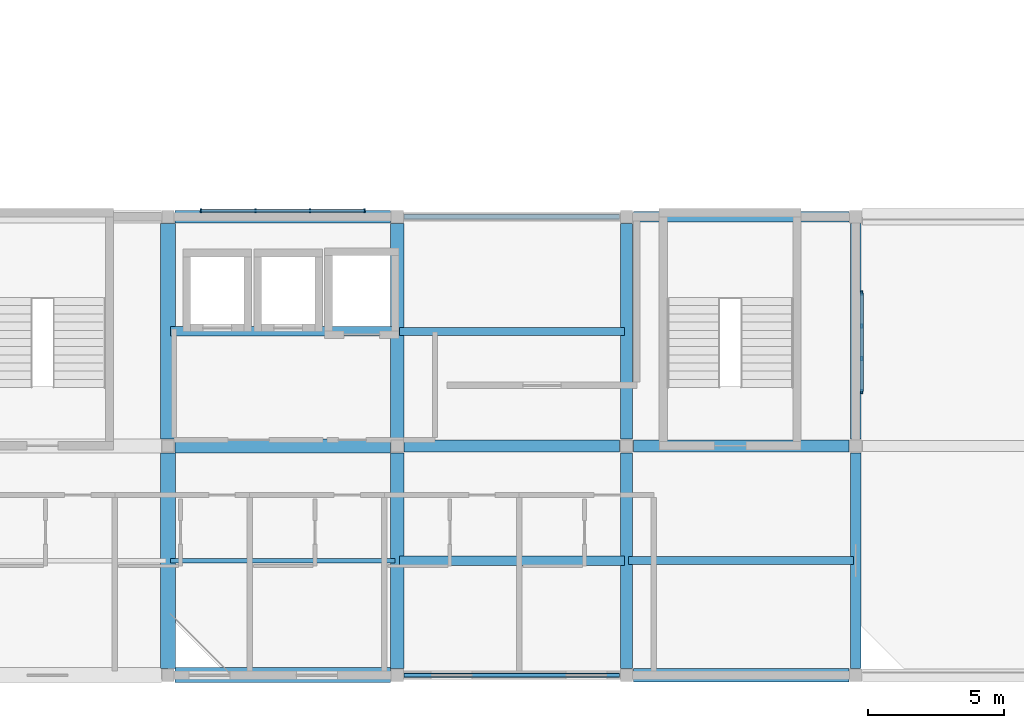
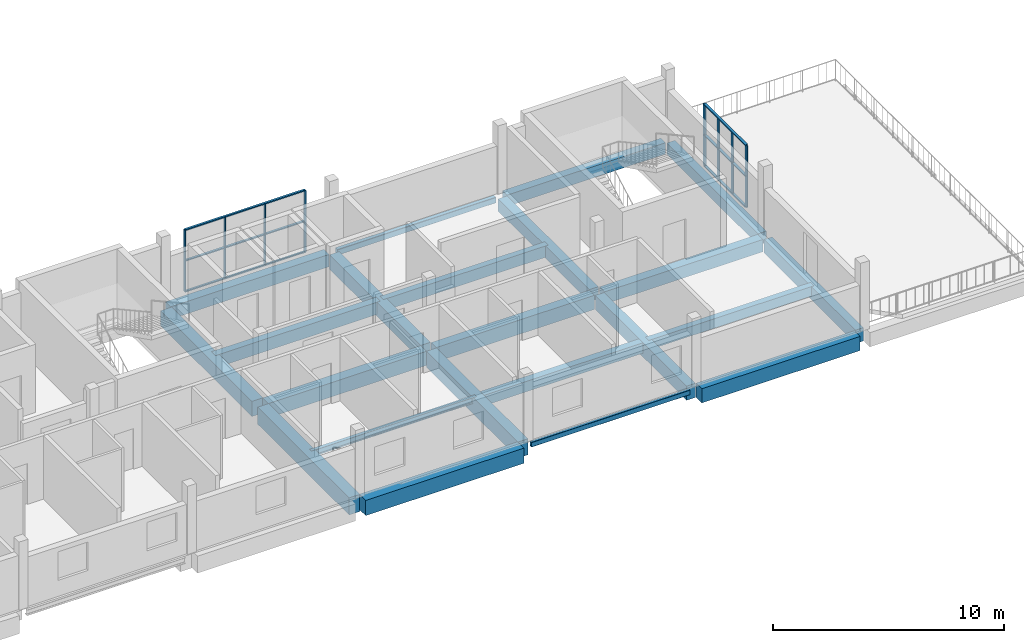
# One storey, part 5 of 19: 22 beams, 14 members, 2 elements without a shape of their own.
"""IFC4 building model written with IfcOpenShell, lengths in metres."""

from ifc_helpers import new_model, si_unit, derived_unit, direction, frame, origin, origin_2d, place, context, subcontext, project, spatial, rectangle, hollow_rectangle, i_section, extrude, material, material_profile, profile_set, type_object, element, aggregate, save


model = new_model("IFC4")

# Units and contexts
model_context = context("Model", 3, precision=1e-05, world=origin(), true_north=direction((0.0, 1.0)))
body_context = subcontext(model_context, "Body", "Model", "MODEL_VIEW")
ifc_project = project(units=[si_unit("LENGTHUNIT", "METRE"), si_unit("AREAUNIT", "SQUARE_METRE"), si_unit("VOLUMEUNIT", "CUBIC_METRE"), si_unit("PLANEANGLEUNIT", "RADIAN"), si_unit("MASSUNIT", "GRAM", prefix="KILO"), derived_unit("THERMALTRANSMITTANCEUNIT", [(si_unit("POWERUNIT", "WATT"), 1), (si_unit("LENGTHUNIT", "METRE"), -2), (si_unit("THERMODYNAMICTEMPERATUREUNIT", "KELVIN"), -1)])], contexts=[model_context])

# Site, building, storey
site_placement = place(None, origin())
site = spatial("IfcSite", under=ifc_project, at=site_placement, CompositionType="ELEMENT")
building_placement = place(site_placement, origin())
building = spatial("IfcBuilding", under=site, at=building_placement, Name="Barrovel Congress Hotel", CompositionType="ELEMENT")
storey_placement = place(building_placement, frame((0.0, 0.0, 43.5)))
storey = spatial("IfcBuildingStorey", under=building, at=storey_placement, Name="L11", CompositionType="ELEMENT", Elevation=43.5)

# Beams
ifc_material_1 = material(Name="Concrete C40", Category="concrete")
ifc_material_profile_1 = material_profile(ifc_material_1, rectangle(XDim=0.300048828125, YDim=0.5, at=origin_2d()), Name="RC300x500")
ifc_profile_set_1 = profile_set([ifc_material_profile_1], Name="Concrete C40")
beam_type_1 = type_object("IfcBeamType", Name="BM-RC300x500", PredefinedType="JOIST", material=ifc_profile_set_1)
beam_1_placement = place(storey_placement, frame((100.8798828125, 8.39990234375, -0.469970703125), z_axis=(1.0, 0.0, 0.0), x_axis=(0.0, 1.0, 0.0)))
element("IfcBeam", 1, at=beam_1_placement, inside=storey, type_object=beam_type_1, Name="JST:L11:100.8:8.4", PredefinedType="JOIST", context=body_context, shape_type="SweptSolid", body=[
    extrude(rectangle(XDim=0.300048828125, YDim=0.5, at=origin_2d()), origin(), (0.0, 0.0, 1.0), 8.240234375),
])
ifc_material_profile_2 = material_profile(ifc_material_1, rectangle(XDim=0.300048828125, YDim=0.60009765625, at=origin_2d()), Name="RC300x600")
ifc_profile_set_2 = profile_set([ifc_material_profile_2], Name="Concrete C40")
beam_type_2 = type_object("IfcBeamType", Name="BM-RC300x600", PredefinedType="JOIST", material=ifc_profile_set_2)
beam_2_placement = place(storey_placement, frame((92.47998046875, 16.800048828125, -0.52001953125), z_axis=(1.0, 0.0, 0.0), x_axis=(0.0, 1.0, 0.0)))
element("IfcBeam", 2, at=beam_2_placement, inside=storey, type_object=beam_type_2, Name="JST:L11:92.4:16.8", PredefinedType="JOIST", context=body_context, shape_type="SweptSolid", body=[
    extrude(rectangle(XDim=0.300048828125, YDim=0.60009765625, at=origin_2d()), origin(), (0.0, 0.0, 1.0), 8.239990234375),
])
ifc_material_profile_3 = material_profile(ifc_material_1, rectangle(XDim=0.35009765625, YDim=0.550048828125, at=origin_2d()), Name="RC350x550")
ifc_profile_set_3 = profile_set([ifc_material_profile_3], Name="Concrete C40")
beam_type_3 = type_object("IfcBeamType", Name="BM-RC350x550", PredefinedType="JOIST", material=ifc_profile_set_3)
beam_3_placement = place(storey_placement, frame((92.47998046875, 8.39990234375, -0.4951171875), z_axis=(1.0, 0.0, 0.0), x_axis=(0.0, 1.0, 0.0)))
element("IfcBeam", 3, at=beam_3_placement, inside=storey, type_object=beam_type_3, Name="JST:L11:92.4:8.4", PredefinedType="JOIST", context=body_context, shape_type="SweptSolid", body=[
    extrude(rectangle(XDim=0.35009765625, YDim=0.550048828125, at=origin_2d()), origin(), (0.0, 0.0, 1.0), 8.239990234375),
])
ifc_material_profile_4 = material_profile(ifc_material_1, rectangle(XDim=0.35009765625, YDim=0.64990234375, at=origin_2d()), Name="RC350x650")
ifc_profile_set_4 = profile_set([ifc_material_profile_4], Name="Concrete C40")
beam_type_4 = type_object("IfcBeamType", Name="BM-RC350x650", PredefinedType="JOIST", material=ifc_profile_set_4)
beam_4_placement = place(storey_placement, frame((84.080078125, 16.800048828125, -0.544921875), z_axis=(1.0, 0.0, 0.0), x_axis=(0.0, 1.0, 0.0)))
element("IfcBeam", 4, at=beam_4_placement, inside=storey, type_object=beam_type_4, Name="JST:L11:84.0:16.8", PredefinedType="JOIST", context=body_context, shape_type="SweptSolid", body=[
    extrude(rectangle(XDim=0.35009765625, YDim=0.64990234375, at=origin_2d()), origin(), (0.0, 0.0, 1.0), 8.239990234375),
])
ifc_material_profile_5 = material_profile(ifc_material_1, rectangle(XDim=0.39990234375, YDim=0.60009765625, at=origin_2d()), Name="RC400x600")
ifc_profile_set_5 = profile_set([ifc_material_profile_5], Name="Concrete C40")
beam_type_5 = type_object("IfcBeamType", Name="BM-RC400x600", PredefinedType="BEAM", material=ifc_profile_set_5)
for number, where, z_axis, x_axis, name in (
    (5, (101.050048828125, 21.0, -0.52001953125), (1.0, 0.0, 0.0), (0.0, 1.0, 0.0), "BMX:L11:21.0:100.8-109.2"),
    (6, (109.199951171875, 12.85009765625, -0.52001953125), (0.0, 1.0, 0.0), (-1.0, 0.0, 0.0), "BMY:L11:109.2:12.6-21.0"),
):
    element("IfcBeam", number, at=place(storey_placement, frame(where, z_axis=z_axis, x_axis=x_axis)), inside=storey, type_object=beam_type_5, Name=name, PredefinedType="BEAM", context=body_context, shape_type="SweptSolid", body=[
        extrude(rectangle(XDim=0.39990234375, YDim=0.60009765625, at=origin_2d()), origin(), (0.0, 0.0, 1.0), 7.89990234375),
    ])
ifc_material_profile_6 = material_profile(ifc_material_1, rectangle(XDim=0.39990234375, YDim=0.699951171875, at=origin_2d()), Name="RC400x700")
ifc_profile_set_6 = profile_set([ifc_material_profile_6], Name="Concrete C40")
beam_type_6 = type_object("IfcBeamType", Name="BM-RC400x700", PredefinedType="BEAM", material=ifc_profile_set_6)
beam_5_placement = place(storey_placement, frame((109.199951171875, 4.449951171875, -0.570068359375), z_axis=(0.0, 1.0, 0.0), x_axis=(-1.0, 0.0, 0.0)))
element("IfcBeam", 7, at=beam_5_placement, inside=storey, type_object=beam_type_6, Name="BMY:L11:109.2:4.2-12.6", PredefinedType="BEAM", context=body_context, shape_type="SweptSolid", body=[
    extrude(rectangle(XDim=0.39990234375, YDim=0.699951171875, at=origin_2d()), origin(), (0.0, 0.0, 1.0), 7.900146484375),
])
ifc_material_profile_7 = material_profile(ifc_material_1, rectangle(XDim=0.449951171875, YDim=0.64990234375, at=origin_2d()), Name="RC450x650")
ifc_profile_set_7 = profile_set([ifc_material_profile_7], Name="Concrete C40")
beam_type_7 = type_object("IfcBeamType", Name="BM-RC450x650", PredefinedType="BEAM", material=ifc_profile_set_7)
for number, where, z_axis, x_axis, name in (
    (8, (101.050048828125, 12.60009765625, -0.544921875), (1.0, 0.0, 0.0), (0.0, 1.0, 0.0), "BMX:L11:12.6:100.8-109.2"),
    (9, (84.25, 21.0, -0.544921875), (1.0, 0.0, 0.0), (0.0, 1.0, 0.0), "BMX:L11:21.0:84.0-92.4"),
    (10, (100.800048828125, 12.85009765625, -0.544921875), (0.0, 1.0, 0.0), (-1.0, 0.0, 0.0), "BMY:L11:100.8:12.6-21.0"),
):
    element("IfcBeam", number, at=place(storey_placement, frame(where, z_axis=z_axis, x_axis=x_axis)), inside=storey, type_object=beam_type_7, Name=name, PredefinedType="BEAM", context=body_context, shape_type="SweptSolid", body=[
        extrude(rectangle(XDim=0.449951171875, YDim=0.64990234375, at=origin_2d()), origin(), (0.0, 0.0, 1.0), 7.89990234375),
    ])
ifc_material_profile_8 = material_profile(ifc_material_1, rectangle(XDim=0.449951171875, YDim=0.75, at=origin_2d()), Name="RC450x750")
ifc_profile_set_8 = profile_set([ifc_material_profile_8], Name="Concrete C40")
beam_type_8 = type_object("IfcBeamType", Name="BM-RC450x750", PredefinedType="BEAM", material=ifc_profile_set_8)
for number, where, z_axis, x_axis, name in (
    (11, (92.64990234375, 12.60009765625, -0.594970703125), (1.0, 0.0, 0.0), (0.0, 1.0, 0.0), "BMX:L11:12.6:92.4-100.8"),
    (12, (100.800048828125, 4.449951171875, -0.594970703125), (0.0, 1.0, 0.0), (-1.0, 0.0, 0.0), "BMY:L11:100.8:4.2-12.6"),
):
    element("IfcBeam", number, at=place(storey_placement, frame(where, z_axis=z_axis, x_axis=x_axis)), inside=storey, type_object=beam_type_8, Name=name, PredefinedType="BEAM", context=body_context, shape_type="SweptSolid", body=[
        extrude(rectangle(XDim=0.449951171875, YDim=0.75, at=origin_2d()), origin(), (0.0, 0.0, 1.0), 7.900146484375),
    ])
ifc_material_profile_9 = material_profile(ifc_material_1, rectangle(XDim=0.5, YDim=0.75, at=origin_2d()), Name="RC500x750")
ifc_profile_set_9 = profile_set([ifc_material_profile_9], Name="Concrete C40")
beam_type_9 = type_object("IfcBeamType", Name="BM-RC500x750", PredefinedType="BEAM", material=ifc_profile_set_9)
for number, where, z_axis, x_axis, name in (
    (13, (101.050048828125, 4.199951171875, -0.594970703125), (1.0, 0.0, 0.0), (0.0, 1.0, 0.0), "BMX:L11:4.2:100.8-109.2"),
    (14, (84.25, 12.60009765625, -0.594970703125), (1.0, 0.0, 0.0), (0.0, 1.0, 0.0), "BMX:L11:12.6:84.0-92.4"),
    (15, (92.39990234375, 12.85009765625, -0.594970703125), (0.0, 1.0, 0.0), (-1.0, 0.0, 0.0), "BMY:L11:92.4:12.6-21.0"),
):
    element("IfcBeam", number, at=place(storey_placement, frame(where, z_axis=z_axis, x_axis=x_axis)), inside=storey, type_object=beam_type_9, Name=name, PredefinedType="BEAM", context=body_context, shape_type="SweptSolid", body=[
        extrude(rectangle(XDim=0.5, YDim=0.75, at=origin_2d()), origin(), (0.0, 0.0, 1.0), 7.89990234375),
    ])
ifc_material_profile_10 = material_profile(ifc_material_1, rectangle(XDim=0.5, YDim=0.85009765625, at=origin_2d()), Name="RC500x850")
ifc_profile_set_10 = profile_set([ifc_material_profile_10], Name="Concrete C40")
beam_type_10 = type_object("IfcBeamType", Name="BM-RC500x850", PredefinedType="BEAM", material=ifc_profile_set_10)
beam_6_placement = place(storey_placement, frame((92.39990234375, 4.449951171875, -0.64501953125), z_axis=(0.0, 1.0, 0.0), x_axis=(-1.0, 0.0, 0.0)))
element("IfcBeam", 16, at=beam_6_placement, inside=storey, type_object=beam_type_10, Name="BMY:L11:92.4:4.2-12.6", PredefinedType="BEAM", context=body_context, shape_type="SweptSolid", body=[
    extrude(rectangle(XDim=0.5, YDim=0.85009765625, at=origin_2d()), origin(), (0.0, 0.0, 1.0), 7.900146484375),
])
ifc_material_profile_11 = material_profile(ifc_material_1, rectangle(XDim=0.550048828125, YDim=0.800048828125, at=origin_2d()), Name="RC550x800")
ifc_profile_set_11 = profile_set([ifc_material_profile_11], Name="Concrete C40")
beam_type_11 = type_object("IfcBeamType", Name="BM-RC550x800", PredefinedType="BEAM", material=ifc_profile_set_11)
for number, where, z_axis, x_axis, name in (
    (17, (84.25, 4.199951171875, -0.6201171875), (1.0, 0.0, 0.0), (0.0, 1.0, 0.0), "BMX:L11:4.2:84.0-92.4"),
    (18, (84.0, 12.85009765625, -0.6201171875), (0.0, 1.0, 0.0), (-1.0, 0.0, 0.0), "BMY:L11:84.0:12.6-21.0"),
):
    element("IfcBeam", number, at=place(storey_placement, frame(where, z_axis=z_axis, x_axis=x_axis)), inside=storey, type_object=beam_type_11, Name=name, PredefinedType="BEAM", context=body_context, shape_type="SweptSolid", body=[
        extrude(rectangle(XDim=0.550048828125, YDim=0.800048828125, at=origin_2d()), origin(), (0.0, 0.0, 1.0), 7.89990234375),
    ])
ifc_material_profile_12 = material_profile(ifc_material_1, rectangle(XDim=0.550048828125, YDim=0.89990234375, at=origin_2d()), Name="RC550x900")
ifc_profile_set_12 = profile_set([ifc_material_profile_12], Name="Concrete C40")
beam_type_12 = type_object("IfcBeamType", Name="BM-RC550x900", PredefinedType="BEAM", material=ifc_profile_set_12)
beam_7_placement = place(storey_placement, frame((84.0, 4.449951171875, -0.669921875), z_axis=(0.0, 1.0, 0.0), x_axis=(-1.0, 0.0, 0.0)))
element("IfcBeam", 19, at=beam_7_placement, inside=storey, type_object=beam_type_12, Name="BMY:L11:84.0:4.2-12.6", PredefinedType="BEAM", context=body_context, shape_type="SweptSolid", body=[
    extrude(rectangle(XDim=0.550048828125, YDim=0.89990234375, at=origin_2d()), origin(), (0.0, 0.0, 1.0), 7.900146484375),
])

# Curtain wall, members
ifc_material_2 = material(Name="Anodised Aluminium Alloy 6063-T6", Category="aluminium")
curtain_wall_type_1 = type_object("IfcCurtainWallType", Name="CW-UN-6000x3200", PredefinedType="USERDEFINED", material=ifc_material_2)
curtain_wall_1_placement = place(storey_placement, origin())
curtain_wall_1 = element("IfcCurtainWall", 20, at=curtain_wall_1_placement, inside=storey, type_object=curtain_wall_type_1, Name="CW:L11:UN-4", ObjectType="UNITISED CURTAIN WALL", PredefinedType="USERDEFINED")
ifc_material_profile_13 = material_profile(ifc_material_2, rectangle(XDim=0.06005859375, YDim=0.139892578125, at=origin_2d()), Name="AL-M60x140")
ifc_profile_set_13 = profile_set([ifc_material_profile_13], Name="Anodised Aluminium Alloy 6063-T6")
member_type_1 = type_object("IfcMemberType", Name="CWM-AL-M60x140", PredefinedType="MULLION", material=ifc_profile_set_13)
member_1_placement = place(storey_placement, frame((85.199951171875, 21.219970703125, 0.0), z_axis=(0.0, 0.0, 1.0), x_axis=(1.0, 0.0, 0.0)))
member_1 = element("IfcMember", 21, at=member_1_placement, type_object=member_type_1, Name="CW:L11:UN-4:M0", PredefinedType="MULLION", context=body_context, shape_type="SweptSolid", body=[
    extrude(rectangle(XDim=0.06005859375, YDim=0.139892578125, at=origin_2d()), origin(), (0.0, 0.0, 1.0), 3.25),
])
member_2_placement = place(storey_placement, frame((87.199951171875, 21.219970703125, 0.0), z_axis=(0.0, 0.0, 1.0), x_axis=(1.0, 0.0, 0.0)))
member_2 = element("IfcMember", 22, at=member_2_placement, type_object=member_type_1, Name="CW:L11:UN-4:M1", PredefinedType="MULLION", context=body_context, shape_type="SweptSolid", body=[
    extrude(rectangle(XDim=0.06005859375, YDim=0.139892578125, at=origin_2d()), origin(), (0.0, 0.0, 1.0), 3.25),
])
member_3_placement = place(storey_placement, frame((89.199951171875, 21.219970703125, 0.0), z_axis=(0.0, 0.0, 1.0), x_axis=(1.0, 0.0, 0.0)))
member_3 = element("IfcMember", 23, at=member_3_placement, type_object=member_type_1, Name="CW:L11:UN-4:M2", PredefinedType="MULLION", context=body_context, shape_type="SweptSolid", body=[
    extrude(rectangle(XDim=0.06005859375, YDim=0.139892578125, at=origin_2d()), origin(), (0.0, 0.0, 1.0), 3.25),
])
member_4_placement = place(storey_placement, frame((91.199951171875, 21.219970703125, 0.0), z_axis=(0.0, 0.0, 1.0), x_axis=(1.0, 0.0, 0.0)))
member_4 = element("IfcMember", 24, at=member_4_placement, type_object=member_type_1, Name="CW:L11:UN-4:M3", PredefinedType="MULLION", context=body_context, shape_type="SweptSolid", body=[
    extrude(rectangle(XDim=0.06005859375, YDim=0.139892578125, at=origin_2d()), origin(), (0.0, 0.0, 1.0), 3.25),
])

curtain_wall_type_2 = type_object("IfcCurtainWallType", Name="CW-UN-3600x3200", PredefinedType="USERDEFINED", material=ifc_material_2)
curtain_wall_2_placement = place(storey_placement, origin())
curtain_wall_2 = element("IfcCurtainWall", 25, at=curtain_wall_2_placement, inside=storey, type_object=curtain_wall_type_2, Name="CW:L11:UN-1", ObjectType="UNITISED CURTAIN WALL", PredefinedType="USERDEFINED")
ifc_material_profile_14 = material_profile(ifc_material_2, rectangle(XDim=0.06005859375, YDim=0.1650390625, at=origin_2d()), Name="AL-M60x165")
ifc_profile_set_14 = profile_set([ifc_material_profile_14], Name="Anodised Aluminium Alloy 6063-T6")
member_type_2 = type_object("IfcMemberType", Name="CWM-AL-M60x165", PredefinedType="MULLION", material=ifc_profile_set_14)
member_5_placement = place(storey_placement, frame((109.419921875, 14.60009765625, 0.0), z_axis=(0.0, 0.0, 1.0), x_axis=(1.0, 0.0, 0.0)))
member_5 = element("IfcMember", 26, at=member_5_placement, type_object=member_type_2, Name="CW:L11:UN-1:M0", PredefinedType="MULLION", context=body_context, shape_type="SweptSolid", body=[
    extrude(rectangle(XDim=0.06005859375, YDim=0.1650390625, at=origin_2d()), origin(), (0.0, 0.0, 1.0), 3.25),
])
member_6_placement = place(storey_placement, frame((109.419921875, 15.800048828125, 0.0), z_axis=(0.0, 0.0, 1.0), x_axis=(1.0, 0.0, 0.0)))
member_6 = element("IfcMember", 27, at=member_6_placement, type_object=member_type_2, Name="CW:L11:UN-1:M1", PredefinedType="MULLION", context=body_context, shape_type="SweptSolid", body=[
    extrude(rectangle(XDim=0.06005859375, YDim=0.1650390625, at=origin_2d()), origin(), (0.0, 0.0, 1.0), 3.25),
])
member_7_placement = place(storey_placement, frame((109.419921875, 17.0, 0.0), z_axis=(0.0, 0.0, 1.0), x_axis=(1.0, 0.0, 0.0)))
member_7 = element("IfcMember", 28, at=member_7_placement, type_object=member_type_2, Name="CW:L11:UN-1:M2", PredefinedType="MULLION", context=body_context, shape_type="SweptSolid", body=[
    extrude(rectangle(XDim=0.06005859375, YDim=0.1650390625, at=origin_2d()), origin(), (0.0, 0.0, 1.0), 3.25),
])
member_8_placement = place(storey_placement, frame((109.419921875, 18.199951171875, 0.0), z_axis=(0.0, 0.0, 1.0), x_axis=(1.0, 0.0, 0.0)))
member_8 = element("IfcMember", 29, at=member_8_placement, type_object=member_type_2, Name="CW:L11:UN-1:M3", PredefinedType="MULLION", context=body_context, shape_type="SweptSolid", body=[
    extrude(rectangle(XDim=0.06005859375, YDim=0.1650390625, at=origin_2d()), origin(), (0.0, 0.0, 1.0), 3.25),
])

# Member
ifc_material_profile_15 = material_profile(ifc_material_2, rectangle(XDim=0.10498046875, YDim=0.06005859375, at=origin_2d()), Name="AL-T60x105")
ifc_profile_set_15 = profile_set([ifc_material_profile_15], Name="Anodised Aluminium Alloy 6063-T6")
member_type_3 = type_object("IfcMemberType", Name="CWT-AL-T60x105", PredefinedType="USERDEFINED", material=ifc_profile_set_15)
member_9_placement = place(storey_placement, frame((85.199951171875, 21.219970703125, 0.0), z_axis=(1.0, 0.0, 0.0), x_axis=(0.0, 1.0, 0.0)))
member_9 = element("IfcMember", 30, at=member_9_placement, type_object=member_type_3, Name="CW:L11:UN-4:T0", ObjectType="TRANSOM", PredefinedType="USERDEFINED", context=body_context, shape_type="SweptSolid", body=[
    extrude(rectangle(XDim=0.10498046875, YDim=0.06005859375, at=origin_2d()), origin(), (0.0, 0.0, 1.0), 6.0),
])

member_10_placement = place(storey_placement, frame((85.199951171875, 21.219970703125, 1.625), z_axis=(1.0, 0.0, 0.0), x_axis=(0.0, 1.0, 0.0)))
member_10 = element("IfcMember", 31, at=member_10_placement, type_object=member_type_3, Name="CW:L11:UN-4:T1", ObjectType="TRANSOM", PredefinedType="USERDEFINED", context=body_context, shape_type="SweptSolid", body=[
    extrude(rectangle(XDim=0.10498046875, YDim=0.06005859375, at=origin_2d()), origin(), (0.0, 0.0, 1.0), 6.0),
])

member_11_placement = place(storey_placement, frame((85.199951171875, 21.219970703125, 3.25), z_axis=(1.0, 0.0, 0.0), x_axis=(0.0, 1.0, 0.0)))
member_11 = element("IfcMember", 32, at=member_11_placement, type_object=member_type_3, Name="CW:L11:UN-4:T2", ObjectType="TRANSOM", PredefinedType="USERDEFINED", context=body_context, shape_type="SweptSolid", body=[
    extrude(rectangle(XDim=0.10498046875, YDim=0.06005859375, at=origin_2d()), origin(), (0.0, 0.0, 1.0), 6.0),
])

aggregate(curtain_wall_1, [member_1, member_2, member_3, member_4, member_9, member_10, member_11])

ifc_material_profile_16 = material_profile(ifc_material_2, rectangle(XDim=0.125, YDim=0.06005859375, at=origin_2d()), Name="AL-T60x125")
ifc_profile_set_16 = profile_set([ifc_material_profile_16], Name="Anodised Aluminium Alloy 6063-T6")
member_type_4 = type_object("IfcMemberType", Name="CWT-AL-T60x125", PredefinedType="USERDEFINED", material=ifc_profile_set_16)
member_12_placement = place(storey_placement, frame((109.419921875, 14.60009765625, 0.0), z_axis=(0.0, 1.0, 0.0), x_axis=(-1.0, 0.0, 0.0)))
member_12 = element("IfcMember", 33, at=member_12_placement, type_object=member_type_4, Name="CW:L11:UN-1:T0", ObjectType="TRANSOM", PredefinedType="USERDEFINED", context=body_context, shape_type="SweptSolid", body=[
    extrude(rectangle(XDim=0.125, YDim=0.06005859375, at=origin_2d()), origin(), (0.0, 0.0, 1.0), 3.599853515625),
])

member_13_placement = place(storey_placement, frame((109.419921875, 14.60009765625, 1.625), z_axis=(0.0, 1.0, 0.0), x_axis=(-1.0, 0.0, 0.0)))
member_13 = element("IfcMember", 34, at=member_13_placement, type_object=member_type_4, Name="CW:L11:UN-1:T1", ObjectType="TRANSOM", PredefinedType="USERDEFINED", context=body_context, shape_type="SweptSolid", body=[
    extrude(rectangle(XDim=0.125, YDim=0.06005859375, at=origin_2d()), origin(), (0.0, 0.0, 1.0), 3.599853515625),
])

member_14_placement = place(storey_placement, frame((109.419921875, 14.60009765625, 3.25), z_axis=(0.0, 1.0, 0.0), x_axis=(-1.0, 0.0, 0.0)))
member_14 = element("IfcMember", 35, at=member_14_placement, type_object=member_type_4, Name="CW:L11:UN-1:T2", ObjectType="TRANSOM", PredefinedType="USERDEFINED", context=body_context, shape_type="SweptSolid", body=[
    extrude(rectangle(XDim=0.125, YDim=0.06005859375, at=origin_2d()), origin(), (0.0, 0.0, 1.0), 3.599853515625),
])

aggregate(curtain_wall_2, [member_5, member_6, member_7, member_8, member_12, member_13, member_14])

# Beams
ifc_material_3 = material(Name="Steel ASTM A500 Grade C", Category="steel")
ifc_material_profile_17 = material_profile(ifc_material_3, hollow_rectangle(XDim=0.15234375, YDim=0.25390625, WallThickness=0.0087890625, InnerFilletRadius=0.0087890625, OuterFilletRadius=0.017578125, at=origin_2d()), Name="HSS254x152x9.5")
ifc_profile_set_17 = profile_set([ifc_material_profile_17], Name="Steel ASTM A500 Grade C")
beam_type_13 = type_object("IfcBeamType", Name="SBM-HSS254x152x9.5", PredefinedType="SPANDREL", material=ifc_profile_set_17)
beam_8_placement = place(storey_placement, frame((92.64990234375, 4.199951171875, -0.346923828125), z_axis=(1.0, 0.0, 0.0), x_axis=(0.0, 1.0, 0.0)))
element("IfcBeam", 36, at=beam_8_placement, inside=storey, type_object=beam_type_13, Name="BMX:L11:4.2:92.4-100.8", PredefinedType="SPANDREL", context=body_context, shape_type="SweptSolid", body=[
    extrude(hollow_rectangle(XDim=0.15234375, YDim=0.25390625, WallThickness=0.0087890625, InnerFilletRadius=0.0087890625, OuterFilletRadius=0.017578125, at=origin_2d()), origin(), (0.0, 0.0, 1.0), 7.900146484375),
])
ifc_material_profile_18 = material_profile(ifc_material_3, hollow_rectangle(XDim=0.203125, YDim=0.3046875, WallThickness=0.01171875, InnerFilletRadius=0.01171875, OuterFilletRadius=0.023681640625, at=origin_2d()), Name="HSS305x203x12.7")
ifc_profile_set_18 = profile_set([ifc_material_profile_18], Name="Steel ASTM A500 Grade C")
beam_type_14 = type_object("IfcBeamType", Name="SBM-HSS305x203x12.7", PredefinedType="SPANDREL", material=ifc_profile_set_18)
beam_9_placement = place(storey_placement, frame((92.64990234375, 21.0, -0.372314453125), z_axis=(1.0, 0.0, 0.0), x_axis=(0.0, 1.0, 0.0)))
element("IfcBeam", 37, at=beam_9_placement, inside=storey, type_object=beam_type_14, Name="BMX:L11:21.0:92.4-100.8", PredefinedType="SPANDREL", context=body_context, shape_type="SweptSolid", body=[
    extrude(hollow_rectangle(XDim=0.203125, YDim=0.3046875, WallThickness=0.01171875, InnerFilletRadius=0.01171875, OuterFilletRadius=0.023681640625, at=origin_2d()), origin(), (0.0, 0.0, 1.0), 7.900146484375),
])
ifc_material_4 = material(Name="Steel ASTM A992 Grade 50", Category="steel")
ifc_material_profile_19 = material_profile(ifc_material_4, i_section(OverallWidth=0.1650390625, OverallDepth=0.31005859375, WebThickness=0.005859375, FlangeThickness=0.009765625, FilletRadius=0.010986328125, at=origin_2d()), Name="W310x39")
ifc_profile_set_19 = profile_set([ifc_material_profile_19], Name="Steel ASTM A992 Grade 50")
beam_type_15 = type_object("IfcBeamType", Name="SBM-W310x39", PredefinedType="JOIST", material=ifc_profile_set_19)
beam_10_placement = place(storey_placement, frame((84.080078125, 8.39990234375, -0.375), z_axis=(1.0, 0.0, 0.0), x_axis=(0.0, 1.0, 0.0)))
element("IfcBeam", 38, at=beam_10_placement, inside=storey, type_object=beam_type_15, Name="JST:L11:84.0:8.4", PredefinedType="JOIST", context=body_context, shape_type="SweptSolid", body=[
    extrude(i_section(OverallWidth=0.1650390625, OverallDepth=0.31005859375, WebThickness=0.005859375, FlangeThickness=0.009765625, FilletRadius=0.010986328125, at=origin_2d()), origin(), (0.0, 0.0, 1.0), 8.239990234375),
])

save(model, "model.ifc")
